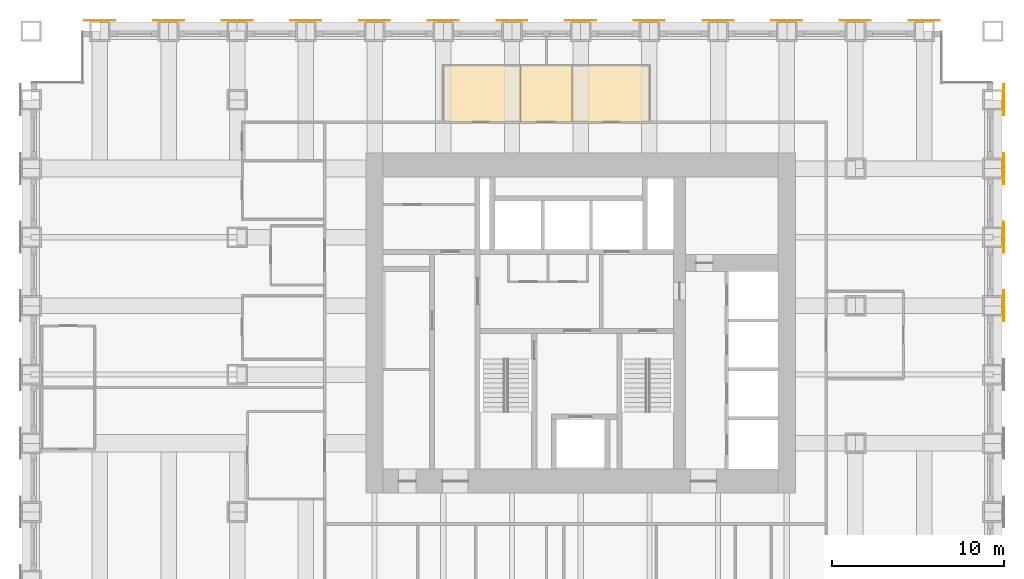
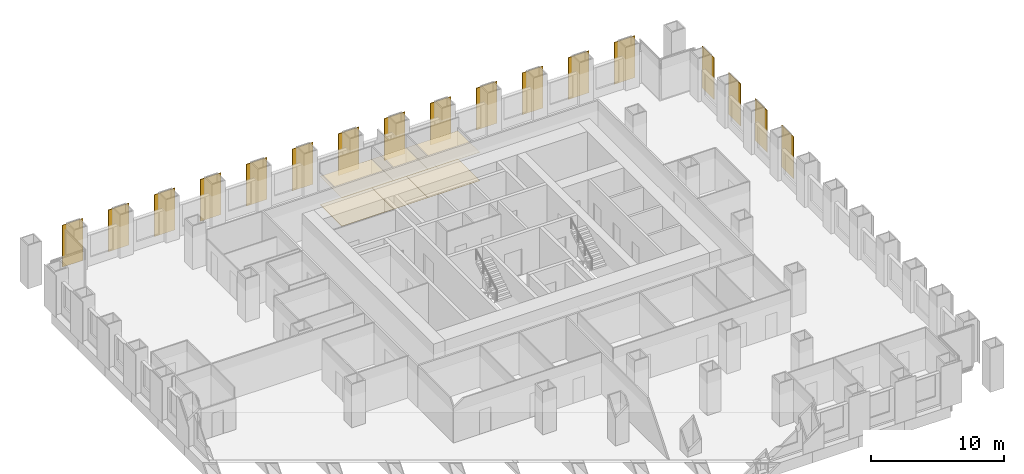
# One storey, part 15 of 15: 17 shading devices, 6 coverings.
"""IFC4 building model written with IfcOpenShell, lengths in metres."""

import ifcopenshell
import ifcopenshell.guid

model = None  # the IFC model being written
_history = None  # IfcOwnerHistory: only IFC2X3 demands one
_inside = {}  # id of a spatial element -> (the spatial element, [elements in it])
_under = {}  # id of a project, library or spatial element -> (it, [spatial elements below it])
_declared = {}  # id of a project -> (the project, [libraries it declares])
_typed = {}  # id of a type object -> (the type object, [elements of that type])
_made_of = {}  # id of a material, layer set ... -> (it, [elements and type objects made of it])


def new_model(schema):
    """Start an empty IFC model of exactly this schema.

    Asked for "IFC4X3", IfcOpenShell would pick the latest addendum, in which some entities
    have other attributes; the version numbers below select the first issue.
    IFC2X3 requires an IfcOwnerHistory on every rooted entity: one is made here for all.
    """
    global model, _history
    if schema == "IFC4X3":
        model = ifcopenshell.file(schema_version=(4, 3, 0, 0))
    else:
        model = ifcopenshell.file(schema=schema)
    _inside.clear()
    _under.clear()
    _declared.clear()
    _typed.clear()
    _made_of.clear()
    _history = None
    if model.schema == "IFC2X3":
        org = make("IfcOrganization", Name="unknown")
        user = make(
            "IfcPersonAndOrganization",
            ThePerson=make("IfcPerson", FamilyName="unknown"),
            TheOrganization=org,
        )
        app = make(
            "IfcApplication",
            ApplicationDeveloper=org,
            Version="unknown",
            ApplicationFullName="unknown",
            ApplicationIdentifier="unknown",
        )
        _history = make(
            "IfcOwnerHistory",
            OwningUser=user,
            OwningApplication=app,
            ChangeAction="ADDED",
            CreationDate=0,
        )
    return model


def make(cls, **values):
    """One entity of the class cls with the attributes given. An attribute that is None is left unset."""
    return model.create_entity(
        cls, **{name: value for name, value in values.items() if value is not None}
    )


def rooted(cls, **values):
    """An entity with a GlobalId (a new one), such as an element, a storey or a relation."""
    return make(cls, GlobalId=ifcopenshell.guid.new(), OwnerHistory=_history, **values)


def si_unit(unit_type, name, prefix=None):
    """IfcSIUnit, for example si_unit("LENGTHUNIT", "METRE", prefix="MILLI")."""
    return make("IfcSIUnit", UnitType=unit_type, Prefix=prefix, Name=name)


def assignment(units):
    """IfcUnitAssignment: the units of a project."""
    return None if units is None else make("IfcUnitAssignment", Units=units)


def point(xyz):
    """IfcCartesianPoint."""
    return None if xyz is None else make("IfcCartesianPoint", Coordinates=xyz)


def direction(xyz):
    """IfcDirection."""
    return None if xyz is None else make("IfcDirection", DirectionRatios=xyz)


def frame(location, z_axis=None, x_axis=None):
    """IfcAxis2Placement3D, a coordinate frame: its origin and axes. An axis left out is left unset."""
    return make(
        "IfcAxis2Placement3D",
        Location=point(location),
        Axis=direction(z_axis),
        RefDirection=direction(x_axis),
    )


def frame_2d(location, x_axis=None):
    """IfcAxis2Placement2D, a coordinate frame in the plane: its origin and x axis."""
    return make(
        "IfcAxis2Placement2D", Location=point(location), RefDirection=direction(x_axis)
    )


def origin():
    """The frame at (0, 0, 0) with its axes left unset."""
    return frame((0.0, 0.0, 0.0))


def origin_2d():
    """The frame at (0, 0) in the plane with its x axis left unset."""
    return frame_2d((0.0, 0.0))


def place(relative_to, where):
    """IfcLocalPlacement: puts the frame where relative to a parent placement (None: the world)."""
    return make(
        "IfcLocalPlacement", PlacementRelTo=relative_to, RelativePlacement=where
    )


def context(
    kind, dimensions, precision=None, world=None, true_north=None, identifier=None
):
    """IfcGeometricRepresentationContext, for example the 3D "Model" context."""
    return make(
        "IfcGeometricRepresentationContext",
        ContextIdentifier=identifier,
        ContextType=kind,
        CoordinateSpaceDimension=dimensions,
        Precision=precision,
        WorldCoordinateSystem=world,
        TrueNorth=true_north,
    )


def subcontext(parent, identifier, kind, view, scale=None):
    """IfcGeometricRepresentationSubContext, for example "Body" below "Model"."""
    return make(
        "IfcGeometricRepresentationSubContext",
        ContextIdentifier=identifier,
        ContextType=kind,
        ParentContext=parent,
        TargetScale=scale,
        TargetView=view,
    )


def project(units=None, contexts=None):
    """IfcProject with its units and contexts."""
    return rooted(
        "IfcProject",
        Name="project",
        RepresentationContexts=contexts,
        UnitsInContext=assignment(units),
    )


def spatial(cls, under=None, at=None, **own):
    """A site, building, storey or space (cls), placed at a placement, below another one or the project."""
    s = rooted(cls, ObjectPlacement=at, **own)
    if under is not None:
        _under.setdefault(under.id(), (under, []))[1].append(s)
    return s


def polyline(points):
    """IfcPolyline through the points."""
    return make("IfcPolyline", Points=[point(p) for p in points])


def profile(cls, at=None, kind="AREA", **sizes):
    """A parametric profile (cls). Its sizes go by their IFC names, for example OverallWidth=200.0."""
    return make(cls, ProfileType=kind, Position=at, **sizes)


def rectangle(**sizes):
    """IfcRectangleProfileDef."""
    return profile("IfcRectangleProfileDef", **sizes)


def outline(outer, holes=None, kind="AREA"):
    """IfcArbitraryClosedProfileDef: a profile drawn as a closed curve; with holes, ...WithVoids."""
    if holes is None:
        return make("IfcArbitraryClosedProfileDef", ProfileType=kind, OuterCurve=outer)
    return make(
        "IfcArbitraryProfileDefWithVoids",
        ProfileType=kind,
        OuterCurve=outer,
        InnerCurves=holes,
    )


def extrude(swept, where, along, depth):
    """IfcExtrudedAreaSolid: the profile swept, set in the frame where, extruded along a direction by depth."""
    return make(
        "IfcExtrudedAreaSolid",
        SweptArea=swept,
        Position=where,
        ExtrudedDirection=direction(along),
        Depth=depth,
    )


def shape(context_of_items, identifier, shape_type, items):
    """IfcShapeRepresentation: the items that make up one representation, for example the "Body"."""
    return make(
        "IfcShapeRepresentation",
        ContextOfItems=context_of_items,
        RepresentationIdentifier=identifier,
        RepresentationType=shape_type,
        Items=items,
    )


def material(Name=None, Category=None):
    """IfcMaterial."""
    return make("IfcMaterial", Name=Name, Category=Category)


def layer(
    of_material, thickness, ventilated=None, Name=None, Category=None, Priority=None
):
    """IfcMaterialLayer: one layer of a wall or slab, of a material (None: an air gap)."""
    return make(
        "IfcMaterialLayer",
        Material=of_material,
        LayerThickness=thickness,
        IsVentilated=ventilated,
        Name=Name,
        Category=Category,
        Priority=Priority,
    )


def layer_set(layers, Name=None):
    """IfcMaterialLayerSet."""
    return make("IfcMaterialLayerSet", MaterialLayers=layers, LayerSetName=Name)


def made_of(thing, what):
    """Note that an element or type object is made of a material, layer set ...; save() writes the relation."""
    if what is not None:
        _made_of.setdefault(what.id(), (what, []))[1].append(thing)
    return thing


def type_object(cls, material=None, **own):
    """A type object (cls), such as IfcWallType, which elements share."""
    return made_of(rooted(cls, **own), material)


def element(
    cls,
    number,
    at=None,
    inside=None,
    cuts=None,
    type_object=None,
    material=None,
    context=None,
    identifier="Body",
    shape_type=None,
    held_by="IfcProductDefinitionShape",
    body=None,
    shapes=None,
    **own,
):
    """One element of the class cls, such as IfcWall. Its Tag is "e" and its number.

    at: its placement. inside: the storey or other place that contains it. cuts: it is an
    opening in that element (IfcRelVoidsElement). A single representation is given by context,
    identifier, shape_type and body (its items); several are given by shapes. held_by: the class
    of the entity that holds the representations. save() writes the other relations.
    """
    e = rooted(cls, Tag="e%d" % number, ObjectPlacement=at, **own)
    if body is not None:
        shapes = [shape(context, identifier, shape_type, body)]
    if shapes is not None:
        e.Representation = make(held_by, Representations=shapes)
    if inside is not None:
        _inside.setdefault(inside.id(), (inside, []))[1].append(e)
    if cuts is not None:
        rooted(
            "IfcRelVoidsElement", RelatingBuildingElement=cuts, RelatedOpeningElement=e
        )
    if type_object is not None:
        _typed.setdefault(type_object.id(), (type_object, []))[1].append(e)
    return made_of(e, material)


def aggregate(whole, parts):
    """IfcRelAggregates: a whole, such as a stair, and the parts it consists of."""
    return rooted("IfcRelAggregates", RelatingObject=whole, RelatedObjects=parts)


def save(model, path):
    """Write the relations noted so far, then the file.

    IfcRelAggregates (storeys below a building ...), IfcRelContainedInSpatialStructure (elements
    in a storey), IfcRelDefinesByType, IfcRelAssociatesMaterial and IfcRelDeclares: one each for
    every whole, place, type object, material and project.
    """
    for whole, parts in _under.values():
        aggregate(whole, parts)
    for where, things in _inside.values():
        rooted(
            "IfcRelContainedInSpatialStructure",
            RelatedElements=things,
            RelatingStructure=where,
        )
    for kind, things in _typed.values():
        rooted("IfcRelDefinesByType", RelatedObjects=things, RelatingType=kind)
    for what, things in _made_of.values():
        rooted("IfcRelAssociatesMaterial", RelatedObjects=things, RelatingMaterial=what)
    for by, libraries in _declared.values():
        rooted("IfcRelDeclares", RelatingContext=by, RelatedDefinitions=libraries)
    model.write(path)


model = new_model("IFC4")

# Units and contexts
model_context = context("Model", 3, precision=1e-05, world=origin(), true_north=direction((0.0, 1.0)))
body_context = subcontext(model_context, "Body", "Model", "MODEL_VIEW")
ifc_project = project(units=[si_unit("LENGTHUNIT", "METRE"), si_unit("AREAUNIT", "SQUARE_METRE"), si_unit("VOLUMEUNIT", "CUBIC_METRE"), si_unit("PLANEANGLEUNIT", "RADIAN"), si_unit("MASSUNIT", "GRAM", prefix="KILO")], contexts=[model_context])

# Site, building, storey
site_placement = place(None, origin())
site = spatial("IfcSite", under=ifc_project, at=site_placement, CompositionType="ELEMENT")
building_placement = place(site_placement, origin())
building = spatial("IfcBuilding", under=site, at=building_placement, Name="Rimbunsela Tower", CompositionType="ELEMENT")
storey_placement = place(building_placement, frame((0.0, 0.0, 35.0)))
storey = spatial("IfcBuildingStorey", under=building, at=storey_placement, Name="L08", CompositionType="ELEMENT", Elevation=35.0)

# Coverings
ifc_material_1 = material(Name="Moisture-resistant plasterboard ceiling", Category="gypsum")
ifc_layer_1 = layer(ifc_material_1, 0.012451171875)
ifc_layer_set_1 = layer_set([ifc_layer_1], Name="Ceiling moisture-resistant board")
covering_type_1 = type_object("IfcCoveringType", Name="Ceiling moisture-resistant board", PredefinedType="CEILING", material=ifc_layer_set_1)
covering_1_placement = place(storey_placement, frame((0.0, 0.0, 2.60009765625)))
element("IfcCovering", 1, at=covering_1_placement, inside=storey, type_object=covering_type_1, Name="Ceiling Female WC", PredefinedType="CEILING", context=body_context, shape_type="SweptSolid", body=[
    extrude(outline(polyline([(26.5, 38.699951171875), (26.5, 42.0), (22.0, 42.0), (22.0, 38.699951171875), (26.5, 38.699951171875)])), origin(), (0.0, 0.0, 1.0), 0.02001953125),
])
covering_2_placement = place(storey_placement, frame((0.0, 0.0, 2.60009765625)))
element("IfcCovering", 2, at=covering_2_placement, inside=storey, type_object=covering_type_1, Name="Ceiling Accessible WC", PredefinedType="CEILING", context=body_context, shape_type="SweptSolid", body=[
    extrude(outline(polyline([(29.5, 38.699951171875), (29.5, 42.0), (26.5, 42.0), (26.5, 38.699951171875), (29.5, 38.699951171875)])), origin(), (0.0, 0.0, 1.0), 0.02001953125),
])
covering_3_placement = place(storey_placement, frame((0.0, 0.0, 2.60009765625)))
element("IfcCovering", 3, at=covering_3_placement, inside=storey, type_object=covering_type_1, Name="Ceiling Male WC", PredefinedType="CEILING", context=body_context, shape_type="SweptSolid", body=[
    extrude(outline(polyline([(34.0, 38.699951171875), (34.0, 42.0), (29.5, 42.0), (29.5, 38.699951171875), (34.0, 38.699951171875)])), origin(), (0.0, 0.0, 1.0), 0.02001953125),
])
ifc_material_2 = material(Name="Porcelain floor tile in adhesive bed", Category="ceramic")
ifc_layer_2 = layer(ifc_material_2, 0.02001953125)
ifc_layer_set_2 = layer_set([ifc_layer_2], Name="Porcelain tile 20")
covering_type_2 = type_object("IfcCoveringType", Name="Porcelain tile 20", PredefinedType="FLOORING", material=ifc_layer_set_2)
covering_4_placement = place(storey_placement, origin())
element("IfcCovering", 4, at=covering_4_placement, inside=storey, type_object=covering_type_2, Name="Floor finish Female WC", PredefinedType="FLOORING", context=body_context, shape_type="SweptSolid", body=[
    extrude(outline(polyline([(26.5, 38.699951171875), (26.5, 42.0), (22.0, 42.0), (22.0, 38.699951171875), (26.5, 38.699951171875)])), origin(), (0.0, 0.0, 1.0), 0.02001953125),
])
covering_5_placement = place(storey_placement, origin())
element("IfcCovering", 5, at=covering_5_placement, inside=storey, type_object=covering_type_2, Name="Floor finish Accessible WC", PredefinedType="FLOORING", context=body_context, shape_type="SweptSolid", body=[
    extrude(outline(polyline([(29.5, 38.699951171875), (29.5, 42.0), (26.5, 42.0), (26.5, 38.699951171875), (29.5, 38.699951171875)])), origin(), (0.0, 0.0, 1.0), 0.02001953125),
])
covering_6_placement = place(storey_placement, origin())
element("IfcCovering", 6, at=covering_6_placement, inside=storey, type_object=covering_type_2, Name="Floor finish Male WC", PredefinedType="FLOORING", context=body_context, shape_type="SweptSolid", body=[
    extrude(outline(polyline([(34.0, 38.699951171875), (34.0, 42.0), (29.5, 42.0), (29.5, 38.699951171875), (34.0, 38.699951171875)])), origin(), (0.0, 0.0, 1.0), 0.02001953125),
])

# Shading devices
ifc_material_3 = material(Name="Perforated aluminium, 35 % open area", Category="aluminium")
ifc_layer_3 = layer(ifc_material_3, 0.050048828125)
ifc_layer_set_3 = layer_set([ifc_layer_3], Name="Solar screen panel 1800")
shading_device_type = type_object("IfcShadingDeviceType", Name="Solar screen panel 1800", PredefinedType="USERDEFINED", material=ifc_layer_set_3)
for number, where, z_axis, x_axis, name in (
    (7, (54.625, 28.0, 0.0), (0.0, 0.0, 1.0), (0.0, 1.0, 0.0), "Solar screen E L08"),
    (8, (54.625, 32.0, 0.0), (0.0, 0.0, 1.0), (0.0, 1.0, 0.0), "Solar screen E L08"),
    (9, (54.625, 36.0, 0.0), (0.0, 0.0, 1.0), (0.0, 1.0, 0.0), "Solar screen E L08"),
    (10, (54.625, 40.0, 0.0), (0.0, 0.0, 1.0), (0.0, 1.0, 0.0), "Solar screen E L08"),
    (11, (2.0, 44.625, 0.0), (0.0, 0.0, 1.0), (1.0, 0.0, 0.0), "Solar screen N L08"),
    (12, (6.0, 44.625, 0.0), (0.0, 0.0, 1.0), (1.0, 0.0, 0.0), "Solar screen N L08"),
    (13, (10.0, 44.625, 0.0), (0.0, 0.0, 1.0), (1.0, 0.0, 0.0), "Solar screen N L08"),
    (14, (14.0, 44.625, 0.0), (0.0, 0.0, 1.0), (1.0, 0.0, 0.0), "Solar screen N L08"),
    (15, (18.0, 44.625, 0.0), (0.0, 0.0, 1.0), (1.0, 0.0, 0.0), "Solar screen N L08"),
    (16, (22.0, 44.625, 0.0), (0.0, 0.0, 1.0), (1.0, 0.0, 0.0), "Solar screen N L08"),
    (17, (26.0, 44.625, 0.0), (0.0, 0.0, 1.0), (1.0, 0.0, 0.0), "Solar screen N L08"),
    (18, (30.0, 44.625, 0.0), (0.0, 0.0, 1.0), (1.0, 0.0, 0.0), "Solar screen N L08"),
    (19, (34.0, 44.625, 0.0), (0.0, 0.0, 1.0), (1.0, 0.0, 0.0), "Solar screen N L08"),
    (20, (38.0, 44.625, 0.0), (0.0, 0.0, 1.0), (1.0, 0.0, 0.0), "Solar screen N L08"),
    (21, (42.0, 44.625, 0.0), (0.0, 0.0, 1.0), (1.0, 0.0, 0.0), "Solar screen N L08"),
    (22, (46.0, 44.625, 0.0), (0.0, 0.0, 1.0), (1.0, 0.0, 0.0), "Solar screen N L08"),
    (23, (50.0, 44.625, 0.0), (0.0, 0.0, 1.0), (1.0, 0.0, 0.0), "Solar screen N L08"),
):
    element("IfcShadingDevice", number, at=place(storey_placement, frame(where, z_axis=z_axis, x_axis=x_axis)), inside=storey, type_object=shading_device_type, Name=name, ObjectType="SCREEN", PredefinedType="USERDEFINED", context=body_context, shape_type="SweptSolid", body=[
        extrude(rectangle(XDim=1.800048828125, YDim=0.050048828125, at=origin_2d()), origin(), (0.0, 0.0, 1.0), 3.85009765625),
    ])

save(model, "model.ifc")
